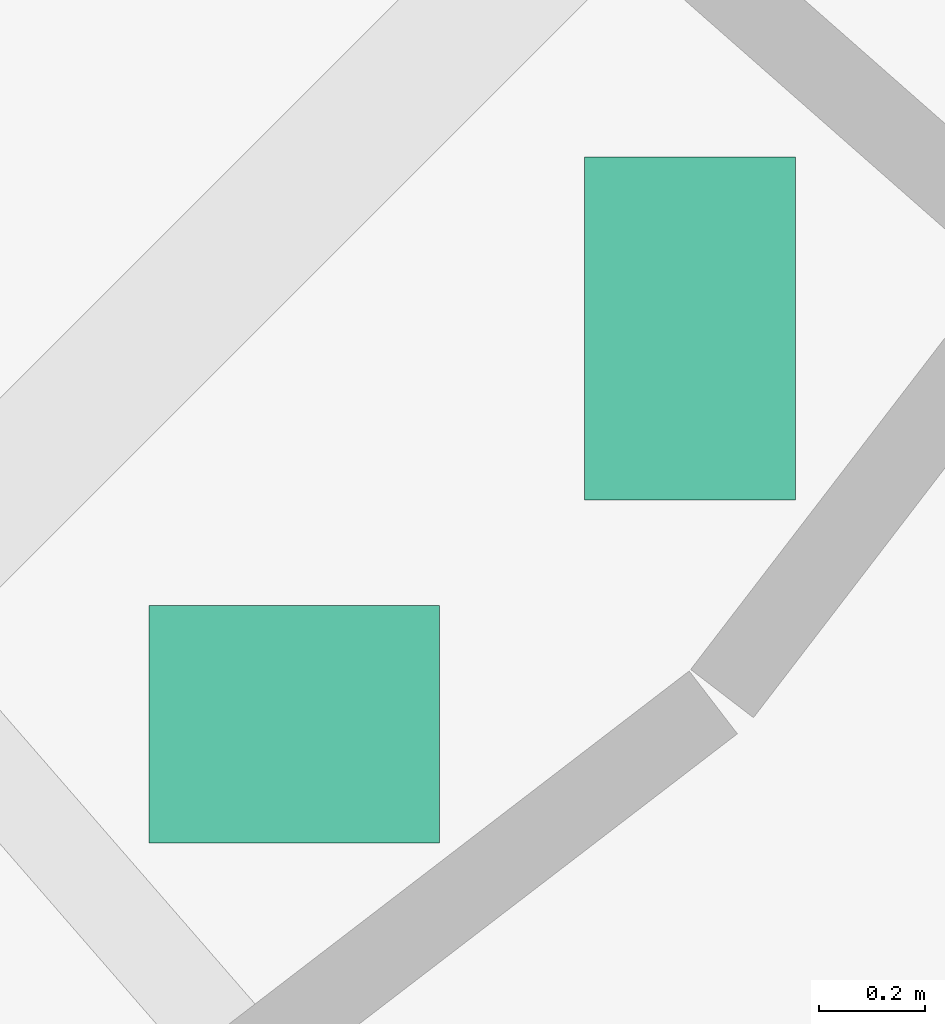
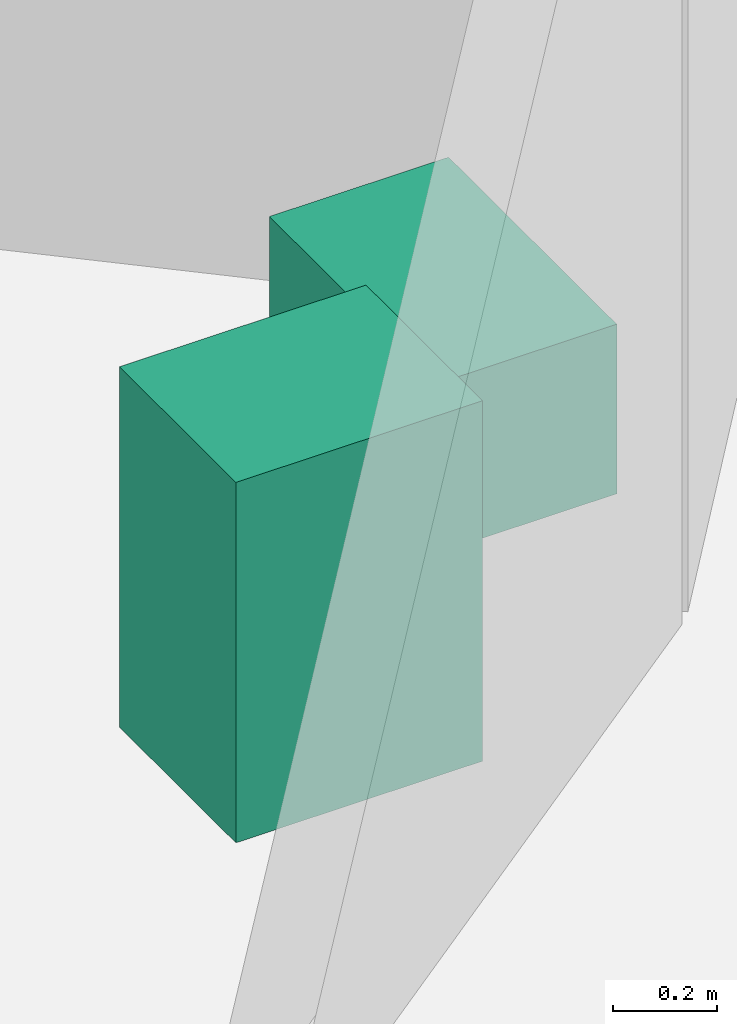
# One storey, part 12 of 12: 2 sanitary terminals.
"""IFC4 building model written with IfcOpenShell, lengths in metres."""

from ifc_helpers import new_model, si_unit, direction, frame, origin, origin_2d, place, context, subcontext, project, spatial, rectangle, extrude, material, type_object, element, save


model = new_model("IFC4")

# Units and contexts
model_context = context("Model", 3, precision=1e-05, world=origin(), true_north=direction((0.0, 1.0)))
body_context = subcontext(model_context, "Body", "Model", "MODEL_VIEW")
ifc_project = project(units=[si_unit("LENGTHUNIT", "METRE"), si_unit("AREAUNIT", "SQUARE_METRE"), si_unit("VOLUMEUNIT", "CUBIC_METRE"), si_unit("PLANEANGLEUNIT", "RADIAN"), si_unit("MASSUNIT", "GRAM", prefix="KILO")], contexts=[model_context])

# Site, building, storey
site_placement = place(None, origin())
site = spatial("IfcSite", under=ifc_project, at=site_placement, CompositionType="ELEMENT")
building_placement = place(site_placement, origin())
building = spatial("IfcBuilding", under=site, at=building_placement, Name="Nagisa Residences", CompositionType="ELEMENT")
storey_placement = place(building_placement, frame((0.0, 0.0, 328.89990234375)))
storey = spatial("IfcBuildingStorey", under=building, at=storey_placement, Name="L81", CompositionType="ELEMENT", Elevation=328.89990234375)

# Sanitary terminals
ifc_material_1 = material(Name="Vitreous china")
sanitary_terminal_type_1 = type_object("IfcSanitaryTerminalType", Name="WC pan", PredefinedType="WCSEAT", material=ifc_material_1)
sanitary_terminal_1_placement = place(storey_placement, frame((11.27490234375, -10.626953125, 0.000244140625), z_axis=(0.0, 0.0, 1.0), x_axis=(1.0, 0.0, 0.0)))
element("IfcSanitaryTerminal", 1, at=sanitary_terminal_1_placement, inside=storey, type_object=sanitary_terminal_type_1, Name="fix:L81:r6t13p0:wc", PredefinedType="WCSEAT", context=body_context, shape_type="SweptSolid", body=[
    extrude(rectangle(XDim=0.39990234375, YDim=0.64990234375, at=origin_2d()), origin(), (0.0, 0.0, 1.0), 0.39990234375),
])
ifc_material_2 = material(Name="Vitreous china")
sanitary_terminal_type_2 = type_object("IfcSanitaryTerminalType", Name="Wash basin", PredefinedType="WASHHANDBASIN", material=ifc_material_2)
sanitary_terminal_2_placement = place(storey_placement, frame((10.52490234375, -11.376953125, 0.0), z_axis=(0.0, 0.0, 1.0), x_axis=(1.0, 0.0, 0.0)))
element("IfcSanitaryTerminal", 2, at=sanitary_terminal_2_placement, inside=storey, type_object=sanitary_terminal_type_2, Name="fix:L81:r6t13p0:basin", PredefinedType="WASHHANDBASIN", context=body_context, shape_type="SweptSolid", body=[
    extrude(rectangle(XDim=0.550048828125, YDim=0.449951171875, at=origin_2d()), origin(), (0.0, 0.0, 1.0), 0.85009765625),
])

save(model, "model.ifc")
